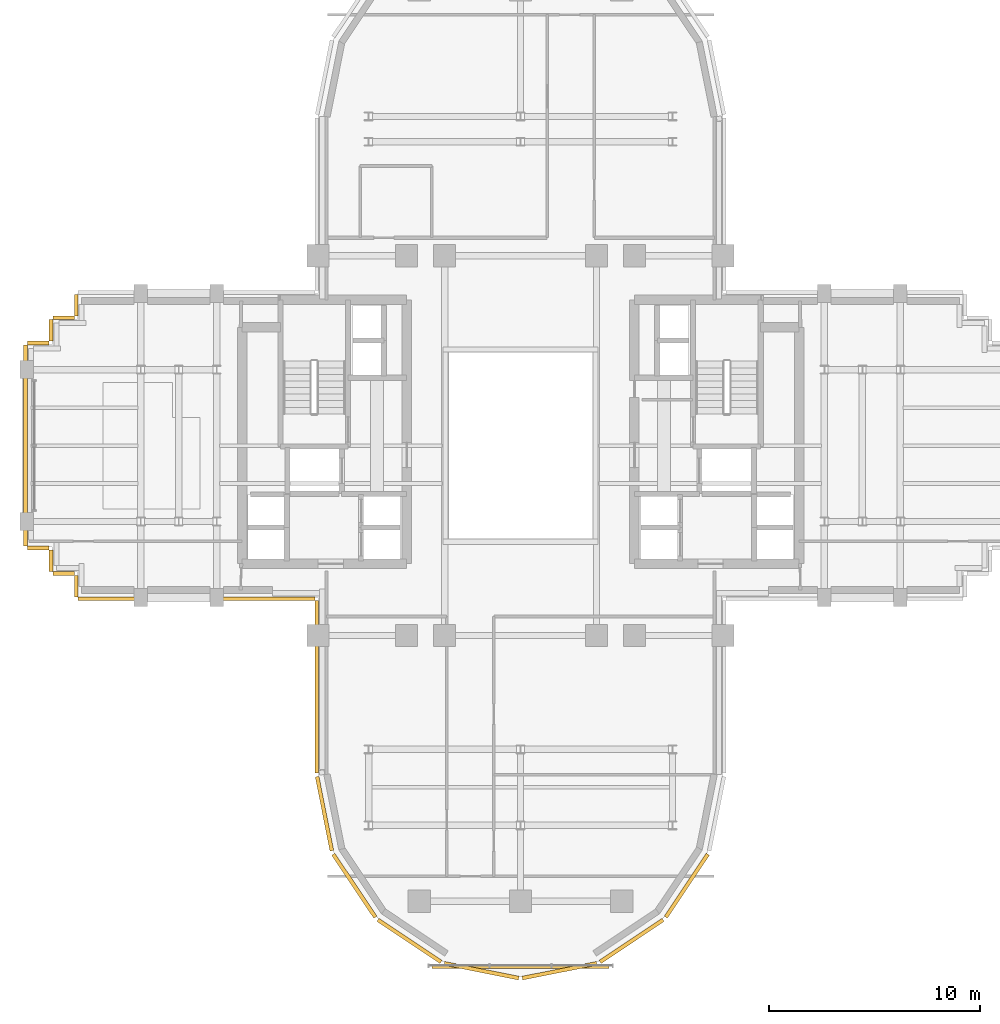
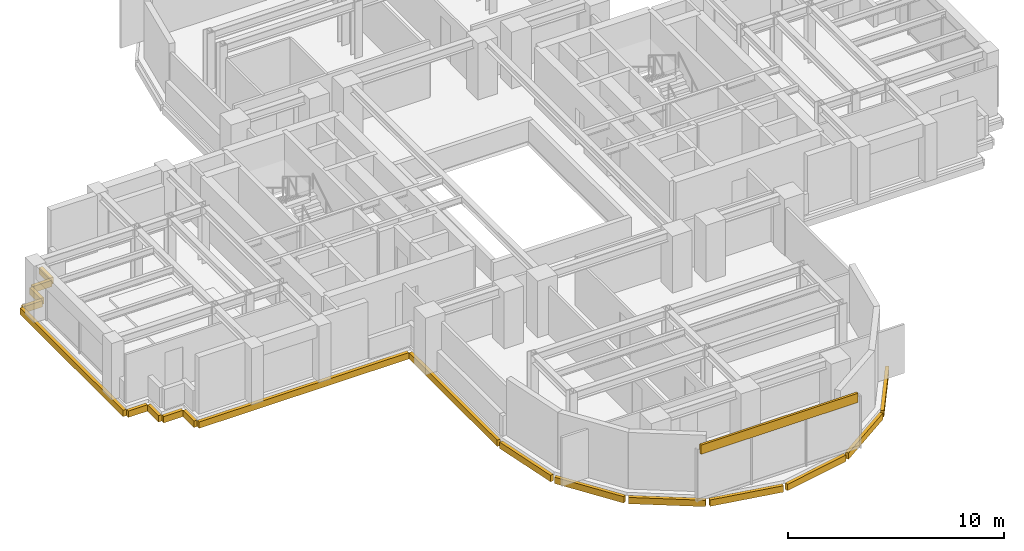
# One storey, part 11 of 13: 19 coverings.
"""IFC4 building model written with IfcOpenShell, lengths in metres."""

import ifcopenshell
import ifcopenshell.guid

model = None  # the IFC model being written
_history = None  # IfcOwnerHistory: only IFC2X3 demands one
_inside = {}  # id of a spatial element -> (the spatial element, [elements in it])
_under = {}  # id of a project, library or spatial element -> (it, [spatial elements below it])
_declared = {}  # id of a project -> (the project, [libraries it declares])
_typed = {}  # id of a type object -> (the type object, [elements of that type])
_made_of = {}  # id of a material, layer set ... -> (it, [elements and type objects made of it])


def new_model(schema):
    """Start an empty IFC model of exactly this schema.

    Asked for "IFC4X3", IfcOpenShell would pick the latest addendum, in which some entities
    have other attributes; the version numbers below select the first issue.
    IFC2X3 requires an IfcOwnerHistory on every rooted entity: one is made here for all.
    """
    global model, _history
    if schema == "IFC4X3":
        model = ifcopenshell.file(schema_version=(4, 3, 0, 0))
    else:
        model = ifcopenshell.file(schema=schema)
    _inside.clear()
    _under.clear()
    _declared.clear()
    _typed.clear()
    _made_of.clear()
    _history = None
    if model.schema == "IFC2X3":
        org = make("IfcOrganization", Name="unknown")
        user = make(
            "IfcPersonAndOrganization",
            ThePerson=make("IfcPerson", FamilyName="unknown"),
            TheOrganization=org,
        )
        app = make(
            "IfcApplication",
            ApplicationDeveloper=org,
            Version="unknown",
            ApplicationFullName="unknown",
            ApplicationIdentifier="unknown",
        )
        _history = make(
            "IfcOwnerHistory",
            OwningUser=user,
            OwningApplication=app,
            ChangeAction="ADDED",
            CreationDate=0,
        )
    return model


def make(cls, **values):
    """One entity of the class cls with the attributes given. An attribute that is None is left unset."""
    return model.create_entity(
        cls, **{name: value for name, value in values.items() if value is not None}
    )


def rooted(cls, **values):
    """An entity with a GlobalId (a new one), such as an element, a storey or a relation."""
    return make(cls, GlobalId=ifcopenshell.guid.new(), OwnerHistory=_history, **values)


def si_unit(unit_type, name, prefix=None):
    """IfcSIUnit, for example si_unit("LENGTHUNIT", "METRE", prefix="MILLI")."""
    return make("IfcSIUnit", UnitType=unit_type, Prefix=prefix, Name=name)


def assignment(units):
    """IfcUnitAssignment: the units of a project."""
    return None if units is None else make("IfcUnitAssignment", Units=units)


def point(xyz):
    """IfcCartesianPoint."""
    return None if xyz is None else make("IfcCartesianPoint", Coordinates=xyz)


def direction(xyz):
    """IfcDirection."""
    return None if xyz is None else make("IfcDirection", DirectionRatios=xyz)


def frame(location, z_axis=None, x_axis=None):
    """IfcAxis2Placement3D, a coordinate frame: its origin and axes. An axis left out is left unset."""
    return make(
        "IfcAxis2Placement3D",
        Location=point(location),
        Axis=direction(z_axis),
        RefDirection=direction(x_axis),
    )


def frame_2d(location, x_axis=None):
    """IfcAxis2Placement2D, a coordinate frame in the plane: its origin and x axis."""
    return make(
        "IfcAxis2Placement2D", Location=point(location), RefDirection=direction(x_axis)
    )


def origin():
    """The frame at (0, 0, 0) with its axes left unset."""
    return frame((0.0, 0.0, 0.0))


def origin_2d():
    """The frame at (0, 0) in the plane with its x axis left unset."""
    return frame_2d((0.0, 0.0))


def place(relative_to, where):
    """IfcLocalPlacement: puts the frame where relative to a parent placement (None: the world)."""
    return make(
        "IfcLocalPlacement", PlacementRelTo=relative_to, RelativePlacement=where
    )


def context(
    kind, dimensions, precision=None, world=None, true_north=None, identifier=None
):
    """IfcGeometricRepresentationContext, for example the 3D "Model" context."""
    return make(
        "IfcGeometricRepresentationContext",
        ContextIdentifier=identifier,
        ContextType=kind,
        CoordinateSpaceDimension=dimensions,
        Precision=precision,
        WorldCoordinateSystem=world,
        TrueNorth=true_north,
    )


def subcontext(parent, identifier, kind, view, scale=None):
    """IfcGeometricRepresentationSubContext, for example "Body" below "Model"."""
    return make(
        "IfcGeometricRepresentationSubContext",
        ContextIdentifier=identifier,
        ContextType=kind,
        ParentContext=parent,
        TargetScale=scale,
        TargetView=view,
    )


def project(units=None, contexts=None):
    """IfcProject with its units and contexts."""
    return rooted(
        "IfcProject",
        Name="project",
        RepresentationContexts=contexts,
        UnitsInContext=assignment(units),
    )


def spatial(cls, under=None, at=None, **own):
    """A site, building, storey or space (cls), placed at a placement, below another one or the project."""
    s = rooted(cls, ObjectPlacement=at, **own)
    if under is not None:
        _under.setdefault(under.id(), (under, []))[1].append(s)
    return s


def profile(cls, at=None, kind="AREA", **sizes):
    """A parametric profile (cls). Its sizes go by their IFC names, for example OverallWidth=200.0."""
    return make(cls, ProfileType=kind, Position=at, **sizes)


def rectangle(**sizes):
    """IfcRectangleProfileDef."""
    return profile("IfcRectangleProfileDef", **sizes)


def extrude(swept, where, along, depth):
    """IfcExtrudedAreaSolid: the profile swept, set in the frame where, extruded along a direction by depth."""
    return make(
        "IfcExtrudedAreaSolid",
        SweptArea=swept,
        Position=where,
        ExtrudedDirection=direction(along),
        Depth=depth,
    )


def shape(context_of_items, identifier, shape_type, items):
    """IfcShapeRepresentation: the items that make up one representation, for example the "Body"."""
    return make(
        "IfcShapeRepresentation",
        ContextOfItems=context_of_items,
        RepresentationIdentifier=identifier,
        RepresentationType=shape_type,
        Items=items,
    )


def source(mapping_origin, context_of_items, identifier, shape_type, items):
    """IfcRepresentationMap: a shape defined once, which mapped items show again and again."""
    return make(
        "IfcRepresentationMap",
        MappingOrigin=mapping_origin,
        MappedRepresentation=shape(context_of_items, identifier, shape_type, items),
    )


def transform(
    local_origin,
    x_axis=None,
    y_axis=None,
    z_axis=None,
    scale=None,
    scale2=None,
    scale3=None,
    uniform=True,
):
    """IfcCartesianTransformationOperator3D, or its non-uniform kind. x_axis, y_axis, z_axis: its Axis1, 2, 3."""
    if uniform:
        return make(
            "IfcCartesianTransformationOperator3D",
            Axis1=direction(x_axis),
            Axis2=direction(y_axis),
            LocalOrigin=point(local_origin),
            Scale=scale,
            Axis3=direction(z_axis),
        )
    return make(
        "IfcCartesianTransformationOperator3DnonUniform",
        Axis1=direction(x_axis),
        Axis2=direction(y_axis),
        LocalOrigin=point(local_origin),
        Scale=scale,
        Axis3=direction(z_axis),
        Scale2=scale2,
        Scale3=scale3,
    )


def mapped(mapping_source, mapping_target):
    """IfcMappedItem: shows the shape of a source again, moved by a transform."""
    return make(
        "IfcMappedItem", MappingSource=mapping_source, MappingTarget=mapping_target
    )


def material(Name=None, Category=None):
    """IfcMaterial."""
    return make("IfcMaterial", Name=Name, Category=Category)


def layer(
    of_material, thickness, ventilated=None, Name=None, Category=None, Priority=None
):
    """IfcMaterialLayer: one layer of a wall or slab, of a material (None: an air gap)."""
    return make(
        "IfcMaterialLayer",
        Material=of_material,
        LayerThickness=thickness,
        IsVentilated=ventilated,
        Name=Name,
        Category=Category,
        Priority=Priority,
    )


def layer_set(layers, Name=None):
    """IfcMaterialLayerSet."""
    return make("IfcMaterialLayerSet", MaterialLayers=layers, LayerSetName=Name)


def made_of(thing, what):
    """Note that an element or type object is made of a material, layer set ...; save() writes the relation."""
    if what is not None:
        _made_of.setdefault(what.id(), (what, []))[1].append(thing)
    return thing


def type_object(cls, material=None, **own):
    """A type object (cls), such as IfcWallType, which elements share."""
    return made_of(rooted(cls, **own), material)


def element(
    cls,
    number,
    at=None,
    inside=None,
    cuts=None,
    type_object=None,
    material=None,
    context=None,
    identifier="Body",
    shape_type=None,
    held_by="IfcProductDefinitionShape",
    body=None,
    shapes=None,
    **own,
):
    """One element of the class cls, such as IfcWall. Its Tag is "e" and its number.

    at: its placement. inside: the storey or other place that contains it. cuts: it is an
    opening in that element (IfcRelVoidsElement). A single representation is given by context,
    identifier, shape_type and body (its items); several are given by shapes. held_by: the class
    of the entity that holds the representations. save() writes the other relations.
    """
    e = rooted(cls, Tag="e%d" % number, ObjectPlacement=at, **own)
    if body is not None:
        shapes = [shape(context, identifier, shape_type, body)]
    if shapes is not None:
        e.Representation = make(held_by, Representations=shapes)
    if inside is not None:
        _inside.setdefault(inside.id(), (inside, []))[1].append(e)
    if cuts is not None:
        rooted(
            "IfcRelVoidsElement", RelatingBuildingElement=cuts, RelatedOpeningElement=e
        )
    if type_object is not None:
        _typed.setdefault(type_object.id(), (type_object, []))[1].append(e)
    return made_of(e, material)


def aggregate(whole, parts):
    """IfcRelAggregates: a whole, such as a stair, and the parts it consists of."""
    return rooted("IfcRelAggregates", RelatingObject=whole, RelatedObjects=parts)


def save(model, path):
    """Write the relations noted so far, then the file.

    IfcRelAggregates (storeys below a building ...), IfcRelContainedInSpatialStructure (elements
    in a storey), IfcRelDefinesByType, IfcRelAssociatesMaterial and IfcRelDeclares: one each for
    every whole, place, type object, material and project.
    """
    for whole, parts in _under.values():
        aggregate(whole, parts)
    for where, things in _inside.values():
        rooted(
            "IfcRelContainedInSpatialStructure",
            RelatedElements=things,
            RelatingStructure=where,
        )
    for kind, things in _typed.values():
        rooted("IfcRelDefinesByType", RelatedObjects=things, RelatingType=kind)
    for what, things in _made_of.values():
        rooted("IfcRelAssociatesMaterial", RelatedObjects=things, RelatingMaterial=what)
    for by, libraries in _declared.values():
        rooted("IfcRelDeclares", RelatingContext=by, RelatedDefinitions=libraries)
    model.write(path)


model = new_model("IFC4")

# Units and contexts
model_context = context("Model", 3, precision=1e-05, world=origin(), true_north=direction((0.0, 1.0)))
body_context = subcontext(model_context, "Body", "Model", "MODEL_VIEW")
ifc_project = project(units=[si_unit("LENGTHUNIT", "METRE"), si_unit("AREAUNIT", "SQUARE_METRE"), si_unit("VOLUMEUNIT", "CUBIC_METRE"), si_unit("PLANEANGLEUNIT", "RADIAN"), si_unit("MASSUNIT", "GRAM", prefix="KILO")], contexts=[model_context])

# Site, building, storey
site_placement = place(None, origin())
site = spatial("IfcSite", under=ifc_project, at=site_placement, CompositionType="ELEMENT")
building_placement = place(site_placement, origin())
building = spatial("IfcBuilding", under=site, at=building_placement, Name="Keilestroom Media Tower", CompositionType="ELEMENT")
storey_placement = place(building_placement, frame((0.0, 0.0, 97.199951171875)))
storey = spatial("IfcBuildingStorey", under=building, at=storey_placement, Name="L25", CompositionType="ELEMENT", Elevation=97.199951171875)

# Coverings
ifc_material = material(Name="Precast concrete C40/50", Category="concrete")
ifc_layer = layer(ifc_material, 0.1201171875)
ifc_layer_set = layer_set([ifc_layer], Name="Precast concrete C40/50")
covering_type = type_object("IfcCoveringType", Name="Exterior-Precast-Spandrel-Cladding-Panel-120", PredefinedType="CLADDING", material=ifc_layer_set)
shared_shape_1 = source(origin(), body_context, "Body", "SweptSolid", [
    extrude(rectangle(XDim=8.39990234375, YDim=0.1201171875, at=origin_2d()), origin(), (0.0, 0.0, 1.0), 0.52001953125),
])
covering_1_placement = place(storey_placement, frame((0.0, -24.719970703125, 2.68994140625), z_axis=(0.0, 0.0, 1.0), x_axis=(1.0, 0.0, 0.0)))
element("IfcCovering", 1, at=covering_1_placement, inside=storey, type_object=covering_type, Name="L25 Precast Spandrel Cladding S", PredefinedType="CLADDING", context=body_context, shape_type="MappedRepresentation", body=[
    mapped(shared_shape_1, transform((0.0, 0.0, 0.0), x_axis=(1.0, 0.0, 0.0), y_axis=(0.0, 1.0, 0.0), z_axis=(0.0, 0.0, 1.0), scale=1.0)),
])
shared_shape_2 = source(origin(), body_context, "Body", "SweptSolid", [
    extrude(rectangle(XDim=1.02001953125, YDim=0.179931640625, at=origin_2d()), origin(), (0.0, 0.0, 1.0), 0.360107421875),
])
for number, where, z_axis, x_axis, name in (
    (2, (-21.06005859375, -6.659912109375, -0.5400390625), (0.0, 0.0, 1.0), (0.0, 1.0, 0.0), "L25 Precast Slab-Edge Fascia Cornice 17"),
    (3, (-21.659912109375, -6.06005859375, -0.5400390625), (0.0, 0.0, 1.0), (-1.0, 0.0, 0.0), "L25 Precast Slab-Edge Fascia Cornice 18"),
    (4, (-22.260009765625, -5.4599609375, -0.5400390625), (0.0, 0.0, 1.0), (0.0, 1.0, 0.0), "L25 Precast Slab-Edge Fascia Cornice 19"),
    (5, (-22.860107421875, -4.860107421875, -0.5400390625), (0.0, 0.0, 1.0), (-1.0, 0.0, 0.0), "L25 Precast Slab-Edge Fascia Cornice 20"),
    (6, (-22.860107421875, 4.860107421875, -0.5400390625), (0.0, 0.0, 1.0), (1.0, 0.0, 0.0), "L25 Precast Slab-Edge Fascia Cornice 22"),
    (7, (-22.260009765625, 5.4599609375, -0.5400390625), (0.0, 0.0, 1.0), (0.0, 1.0, 0.0), "L25 Precast Slab-Edge Fascia Cornice 23"),
    (8, (-21.659912109375, 6.06005859375, -0.5400390625), (0.0, 0.0, 1.0), (1.0, 0.0, 0.0), "L25 Precast Slab-Edge Fascia Cornice 24"),
    (9, (-21.06005859375, 6.659912109375, -0.5400390625), (0.0, 0.0, 1.0), (0.0, 1.0, 0.0), "L25 Precast Slab-Edge Fascia Cornice 25"),
):
    element("IfcCovering", number, at=place(storey_placement, frame(where, z_axis=z_axis, x_axis=x_axis)), inside=storey, type_object=covering_type, Name=name, PredefinedType="CLADDING", context=body_context, shape_type="MappedRepresentation", body=[
        mapped(shared_shape_2, transform((0.0, 0.0, 0.0), x_axis=(1.0, 0.0, 0.0), y_axis=(0.0, 1.0, 0.0), z_axis=(0.0, 0.0, 1.0), scale=1.0)),
    ])
shared_shape_3 = source(origin(), body_context, "Body", "SweptSolid", [
    extrude(rectangle(XDim=8.166015625, YDim=0.179931640625, at=origin_2d()), origin(), (0.0, 0.0, 1.0), 0.360107421875),
])
covering_2_placement = place(storey_placement, frame((-9.659912109375, -11.43310546875, -0.5400390625), z_axis=(0.0, 0.0, 1.0), x_axis=(0.0, 1.0, 0.0)))
element("IfcCovering", 10, at=covering_2_placement, inside=storey, type_object=covering_type, Name="L25 Precast Slab-Edge Fascia Cornice 15", PredefinedType="CLADDING", context=body_context, shape_type="MappedRepresentation", body=[
    mapped(shared_shape_3, transform((0.0, 0.0, 0.0), x_axis=(1.0, 0.0, 0.0), y_axis=(0.0, 1.0, 0.0), z_axis=(0.0, 0.0, 1.0), scale=1.0)),
])
shared_shape_4 = source(origin(), body_context, "Body", "SweptSolid", [
    extrude(rectangle(XDim=3.58349609375, YDim=0.179931640625, at=origin_2d()), origin(), (0.0, 0.0, 1.0), 0.360107421875),
])
covering_3_placement = place(storey_placement, frame((-9.29296875, -17.45166015625, -0.5400390625), z_axis=(0.0, 0.0, 1.0), x_axis=(-0.195098880975, 0.980783577882, 0.0)))
element("IfcCovering", 11, at=covering_3_placement, inside=storey, type_object=covering_type, Name="L25 Precast Slab-Edge Fascia Cornice 14", PredefinedType="CLADDING", context=body_context, shape_type="MappedRepresentation", body=[
    mapped(shared_shape_4, transform((0.0, 0.0, 0.0), x_axis=(1.0, 0.0, 0.0), y_axis=(0.0, 1.0, 0.0), z_axis=(0.0, 0.0, 1.0), scale=1.0)),
])
shared_shape_5 = source(origin(), body_context, "Body", "SweptSolid", [
    extrude(rectangle(XDim=3.589599609375, YDim=0.179931640625, at=origin_2d()), origin(), (0.0, 0.0, 1.0), 0.360107421875),
])
for number, where, z_axis, x_axis, name in (
    (12, (7.878662109375, -20.8642578125, -0.5400390625), (0.0, 0.0, 1.0), (-0.555574586577, -0.831466703332, 0.0), "L25 Precast Slab-Edge Fascia Cornice 08"),
    (13, (5.264404296875, -23.478515625, -0.5400390625), (0.0, 0.0, 1.0), (-0.831466703332, -0.555574586577, 0.0), "L25 Precast Slab-Edge Fascia Cornice 09"),
    (14, (1.8486328125, -24.893310546875, -0.5400390625), (0.0, 0.0, 1.0), (-0.980783577882, -0.195098880975, 0.0), "L25 Precast Slab-Edge Fascia Cornice 10"),
    (15, (-1.8486328125, -24.893310546875, -0.5400390625), (0.0, 0.0, 1.0), (-0.980783577882, 0.195098880975, 0.0), "L25 Precast Slab-Edge Fascia Cornice 11"),
    (16, (-5.264404296875, -23.478515625, -0.5400390625), (0.0, 0.0, 1.0), (-0.831466703332, 0.555574586577, 0.0), "L25 Precast Slab-Edge Fascia Cornice 12"),
    (17, (-7.878662109375, -20.8642578125, -0.5400390625), (0.0, 0.0, 1.0), (-0.555574586577, 0.831466703332, 0.0), "L25 Precast Slab-Edge Fascia Cornice 13"),
):
    element("IfcCovering", number, at=place(storey_placement, frame(where, z_axis=z_axis, x_axis=x_axis)), inside=storey, type_object=covering_type, Name=name, PredefinedType="CLADDING", context=body_context, shape_type="MappedRepresentation", body=[
        mapped(shared_shape_5, transform((0.0, 0.0, 0.0), x_axis=(1.0, 0.0, 0.0), y_axis=(0.0, 1.0, 0.0), z_axis=(0.0, 0.0, 1.0), scale=1.0)),
    ])
shared_shape_6 = source(origin(), body_context, "Body", "SweptSolid", [
    extrude(rectangle(XDim=9.5400390625, YDim=0.179931640625, at=origin_2d()), origin(), (0.0, 0.0, 1.0), 0.360107421875),
])
covering_4_placement = place(storey_placement, frame((-23.4599609375, 0.0, -0.5400390625), z_axis=(0.0, 0.0, 1.0), x_axis=(0.0, 1.0, 0.0)))
element("IfcCovering", 18, at=covering_4_placement, inside=storey, type_object=covering_type, Name="L25 Precast Slab-Edge Fascia Cornice 21", PredefinedType="CLADDING", context=body_context, shape_type="MappedRepresentation", body=[
    mapped(shared_shape_6, transform((0.0, 0.0, 0.0), x_axis=(1.0, 0.0, 0.0), y_axis=(0.0, 1.0, 0.0), z_axis=(0.0, 0.0, 1.0), scale=1.0)),
])
shared_shape_7 = source(origin(), body_context, "Body", "SweptSolid", [
    extrude(rectangle(XDim=11.219970703125, YDim=0.179931640625, at=origin_2d()), origin(), (0.0, 0.0, 1.0), 0.360107421875),
])
covering_5_placement = place(storey_placement, frame((-15.360107421875, -7.260009765625, -0.5400390625), z_axis=(0.0, 0.0, 1.0), x_axis=(-1.0, 0.0, 0.0)))
element("IfcCovering", 19, at=covering_5_placement, inside=storey, type_object=covering_type, Name="L25 Precast Slab-Edge Fascia Cornice 16", PredefinedType="CLADDING", context=body_context, shape_type="MappedRepresentation", body=[
    mapped(shared_shape_7, transform((0.0, 0.0, 0.0), x_axis=(1.0, 0.0, 0.0), y_axis=(0.0, 1.0, 0.0), z_axis=(0.0, 0.0, 1.0), scale=1.0)),
])

save(model, "model.ifc")
